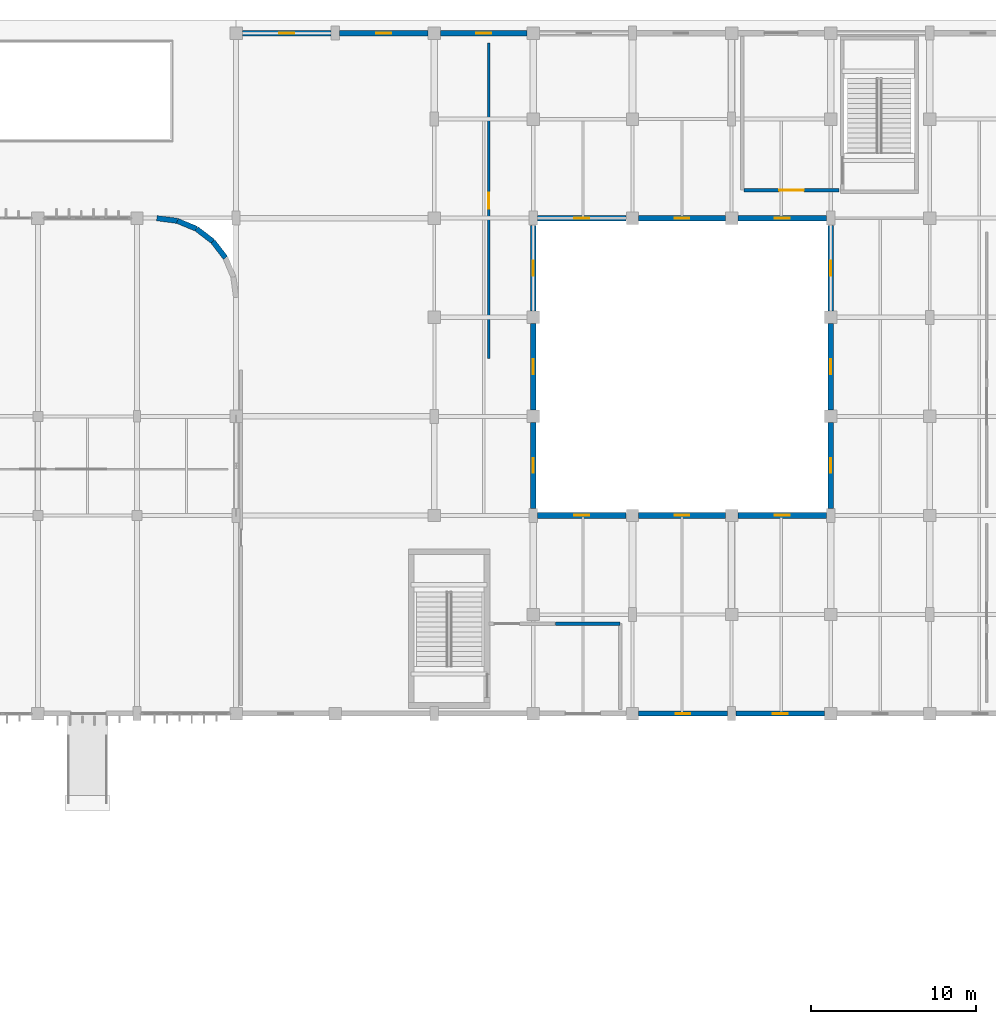
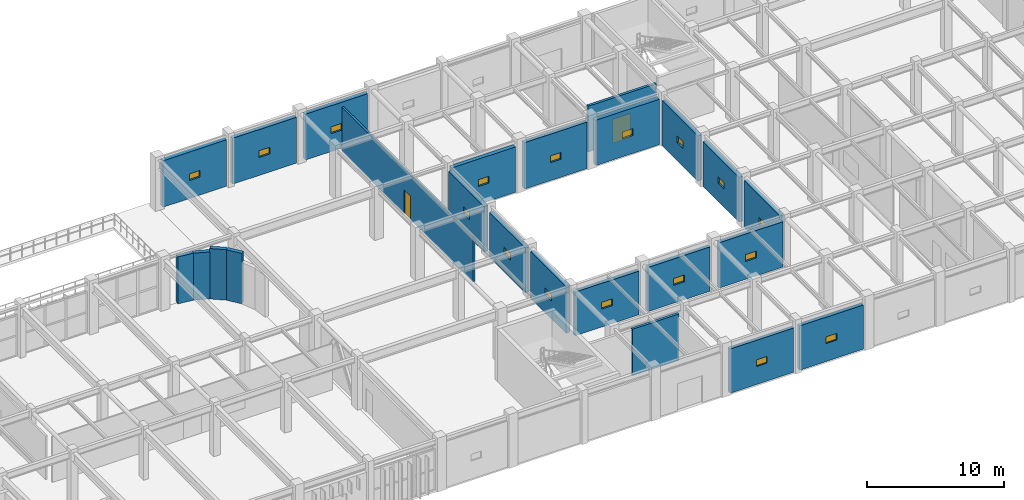
# One storey, part 48 of 76: 24 walls, 17 windows, 2 doors, 19 openings.
"""IFC4 building model written with IfcOpenShell, lengths in metres."""

from ifc_helpers import new_model, si_unit, direction, frame, frame_2d, origin, place, context, subcontext, project, spatial, rectangle, extrude, material, layer, layer_set, type_object, element, fill, save


model = new_model("IFC4")

# Units and contexts
model_context = context("Model", 3, precision=1e-05, world=origin(), true_north=direction((0.0, 1.0)))
body_context = subcontext(model_context, "Body", "Model", "MODEL_VIEW")
ifc_project = project(units=[si_unit("LENGTHUNIT", "METRE"), si_unit("AREAUNIT", "SQUARE_METRE"), si_unit("VOLUMEUNIT", "CUBIC_METRE"), si_unit("PLANEANGLEUNIT", "RADIAN"), si_unit("MASSUNIT", "GRAM", prefix="KILO")], contexts=[model_context])

# Site, building, storey
site_placement = place(None, origin())
site = spatial("IfcSite", under=ifc_project, at=site_placement, CompositionType="ELEMENT")
building_placement = place(site_placement, origin())
building = spatial("IfcBuilding", under=site, at=building_placement, Name="Varnakota Square Police Headquarters", CompositionType="ELEMENT")
storey_placement = place(building_placement, origin())
storey = spatial("IfcBuildingStorey", under=building, at=storey_placement, Name="L00", CompositionType="ELEMENT", Elevation=0.0)

# Wall, opening, window
ifc_material_1 = material(Name="Precast concrete M40", Category="concrete")
ifc_layer_1 = layer(ifc_material_1, 0.300048828125, Name="Precast concrete M40")
ifc_layer_set_1 = layer_set([ifc_layer_1], Name="Precast concrete M40")
wall_type_1 = type_object("IfcWallType", Name="WL-EXT-300", PredefinedType="SOLIDWALL", material=ifc_layer_set_1)
wall_1_placement = place(storey_placement, frame((120.37890625, 69.0, 0.0), z_axis=(0.0, 0.0, 1.0), x_axis=(1.0, 0.0, 0.0)))
wall_1 = element("IfcWall", 1, at=wall_1_placement, inside=storey, type_object=wall_type_1, Name="Exterior wall EW-L00-0664", PredefinedType="SOLIDWALL", context=body_context, shape_type="SweptSolid", body=[
    extrude(rectangle(XDim=5.3671875, YDim=0.300048828125, at=frame_2d((2.68359375, 0.0))), origin(), (0.0, 0.0, 1.0), 3.93994140625),
])
opening_1_placement = place(wall_1_placement, frame((2.2333984375, 0.0, 1.60009765625)))
opening_1 = element("IfcOpeningElement", 2, at=opening_1_placement, cuts=wall_1, Name="Opening W13", PredefinedType="OPENING", context=body_context, shape_type="SweptSolid", body=[
    extrude(rectangle(XDim=0.89990234375, YDim=0.60009765625, at=frame_2d((0.449951171875, 0.300048828125))), frame((0.0, 0.159912109375, 0.0), z_axis=(0.0, -1.0, 0.0), x_axis=(1.0, 0.0, 0.0)), (0.0, 0.0, 1.0), 0.320068359375),
])
ifc_material_2 = material(Name="Thermally Broken Aluminium Double-Glazed Window", Category="aluminium")
window_type = type_object("IfcWindowType", Name="WIN-13", PartitioningType="SINGLE_PANEL", PredefinedType="WINDOW", material=ifc_material_2)
window_1_placement = place(opening_1_placement, origin())
window_1 = element("IfcWindow", 3, at=window_1_placement, inside=storey, type_object=window_type, Name="Window WN-L00-0170", OverallHeight=0.60009765625, OverallWidth=0.89990234375, PartitioningType="SINGLE_PANEL", PredefinedType="WINDOW", context=body_context, shape_type="SweptSolid", body=[
    extrude(rectangle(XDim=0.89990234375, YDim=0.60009765625, at=frame_2d((0.449951171875, 0.300048828125))), frame((0.0, 0.030029296875, 0.0), z_axis=(0.0, -1.0, 0.0), x_axis=(1.0, 0.0, 0.0)), (0.0, 0.0, 1.0), 0.06005859375),
])
fill(opening_1, window_1)

wall_2_placement = place(storey_placement, frame((126.25390625, 69.0, 0.0), z_axis=(0.0, 0.0, 1.0), x_axis=(1.0, 0.0, 0.0)))
wall_2 = element("IfcWall", 4, at=wall_2_placement, inside=storey, type_object=wall_type_1, Name="Exterior wall EW-L00-0665", PredefinedType="SOLIDWALL", context=body_context, shape_type="SweptSolid", body=[
    extrude(rectangle(XDim=5.3671875, YDim=0.300048828125, at=frame_2d((2.68359375, 0.0))), origin(), (0.0, 0.0, 1.0), 3.93994140625),
])
opening_2_placement = place(wall_2_placement, frame((2.2333984375, 0.0, 1.60009765625)))
opening_2 = element("IfcOpeningElement", 5, at=opening_2_placement, cuts=wall_2, Name="Opening W13", PredefinedType="OPENING", context=body_context, shape_type="SweptSolid", body=[
    extrude(rectangle(XDim=0.89990234375, YDim=0.60009765625, at=frame_2d((0.449951171875, 0.300048828125))), frame((0.0, 0.159912109375, 0.0), z_axis=(0.0, -1.0, 0.0), x_axis=(1.0, 0.0, 0.0)), (0.0, 0.0, 1.0), 0.320068359375),
])
window_2_placement = place(opening_2_placement, origin())
window_2 = element("IfcWindow", 6, at=window_2_placement, inside=storey, type_object=window_type, Name="Window WN-L00-0171", OverallHeight=0.60009765625, OverallWidth=0.89990234375, PartitioningType="SINGLE_PANEL", PredefinedType="WINDOW", context=body_context, shape_type="SweptSolid", body=[
    extrude(rectangle(XDim=0.89990234375, YDim=0.60009765625, at=frame_2d((0.449951171875, 0.300048828125))), frame((0.0, 0.030029296875, 0.0), z_axis=(0.0, -1.0, 0.0), x_axis=(1.0, 0.0, 0.0)), (0.0, 0.0, 1.0), 0.06005859375),
])
fill(opening_2, window_2)

# Walls
ifc_layer_2 = layer(ifc_material_1, 0.320068359375, Name="Precast concrete M40")
ifc_layer_set_2 = layer_set([ifc_layer_2], Name="Precast concrete M40")
wall_type_2 = type_object("IfcWallType", Name="WL-EXT-320", PredefinedType="SOLIDWALL", material=ifc_layer_set_2)
for number, where, z_axis, x_axis, name in (
    (7, (95.35693359375, 96.60009765625, 0.0), (0.0, 0.0, 1.0), (-0.60891003886, 0.793239285824, 0.0), "Exterior wall EW-L00-0484"),
    (8, (94.593994140625, 97.593994140625, 0.0), (0.0, 0.0, 1.0), (-0.793239285824, 0.60891003886, 0.0), "Exterior wall EW-L00-0485"),
):
    element("IfcWall", number, at=place(storey_placement, frame(where, z_axis=z_axis, x_axis=x_axis)), inside=storey, type_object=wall_type_2, Name=name, PredefinedType="SOLIDWALL", context=body_context, shape_type="SweptSolid", body=[
        extrude(rectangle(XDim=1.2529296875, YDim=0.320068359375, at=frame_2d((0.62646484375, 0.0))), origin(), (0.0, 0.0, 1.0), 4.4951171875),
    ])
for number, where, z_axis, x_axis, name in (
    (9, (93.60009765625, 98.35693359375, 0.0), (0.0, 0.0, 1.0), (-0.92389335771, 0.382650053678, 0.0), "Exterior wall EW-L00-0486"),
    (10, (92.4423828125, 98.83642578125, 0.0), (0.0, 0.0, 1.0), (-0.991444346045, 0.130530106475, 0.0), "Exterior wall EW-L00-0487"),
):
    element("IfcWall", number, at=place(storey_placement, frame(where, z_axis=z_axis, x_axis=x_axis)), inside=storey, type_object=wall_type_2, Name=name, PredefinedType="SOLIDWALL", context=body_context, shape_type="SweptSolid", body=[
        extrude(rectangle(XDim=1.253173828125, YDim=0.320068359375, at=frame_2d((0.62646484375, 0.0))), origin(), (0.0, 0.0, 1.0), 4.18994140625),
    ])

# Wall, opening, window
ifc_material_3 = material(Name="Concrete M40", Category="concrete")
ifc_layer_3 = layer(ifc_material_3, 0.340087890625, Name="Concrete M40")
ifc_layer_set_3 = layer_set([ifc_layer_3], Name="Concrete M40")
wall_type_3 = type_object("IfcWallType", Name="WL-EXT-340", PredefinedType="SOLIDWALL", material=ifc_layer_set_3)
wall_3_placement = place(storey_placement, frame((96.37890625, 110.199951171875, 0.0), z_axis=(0.0, 0.0, 1.0), x_axis=(1.0, 0.0, 0.0)))
wall_3 = element("IfcWall", 11, at=wall_3_placement, inside=storey, type_object=wall_type_3, Name="Exterior wall EW-L00-0651", PredefinedType="SOLIDWALL", context=body_context, shape_type="SweptSolid", body=[
    extrude(rectangle(XDim=5.3671875, YDim=0.340087890625, at=frame_2d((2.68359375, 0.0))), origin(), (0.0, 0.0, 1.0), 4.139892578125),
])
opening_3_placement = place(wall_3_placement, frame((2.2333984375, 0.0, 1.60009765625)))
opening_3 = element("IfcOpeningElement", 12, at=opening_3_placement, cuts=wall_3, Name="Opening W13", PredefinedType="OPENING", context=body_context, shape_type="SweptSolid", body=[
    extrude(rectangle(XDim=0.89990234375, YDim=0.60009765625, at=frame_2d((0.449951171875, 0.300048828125))), frame((0.0, 0.179931640625, 0.0), z_axis=(0.0, -1.0, 0.0), x_axis=(1.0, 0.0, 0.0)), (0.0, 0.0, 1.0), 0.360107421875),
])
window_3_placement = place(opening_3_placement, origin())
window_3 = element("IfcWindow", 13, at=window_3_placement, inside=storey, type_object=window_type, Name="Window WN-L00-0162", OverallHeight=0.60009765625, OverallWidth=0.89990234375, PartitioningType="SINGLE_PANEL", PredefinedType="WINDOW", context=body_context, shape_type="SweptSolid", body=[
    extrude(rectangle(XDim=0.89990234375, YDim=0.60009765625, at=frame_2d((0.449951171875, 0.300048828125))), frame((0.0, 0.030029296875, 0.0), z_axis=(0.0, -1.0, 0.0), x_axis=(1.0, 0.0, 0.0)), (0.0, 0.0, 1.0), 0.06005859375),
])
fill(opening_3, window_3)

wall_4_placement = place(storey_placement, frame((102.25390625, 110.199951171875, 0.0), z_axis=(0.0, 0.0, 1.0), x_axis=(1.0, 0.0, 0.0)))
wall_4 = element("IfcWall", 14, at=wall_4_placement, inside=storey, type_object=wall_type_3, Name="Exterior wall EW-L00-0652", PredefinedType="SOLIDWALL", context=body_context, shape_type="SweptSolid", body=[
    extrude(rectangle(XDim=5.3671875, YDim=0.340087890625, at=frame_2d((2.68359375, 0.0))), origin(), (0.0, 0.0, 1.0), 4.08349609375),
])
opening_4_placement = place(wall_4_placement, frame((2.2333984375, 0.0, 1.60009765625)))
opening_4 = element("IfcOpeningElement", 15, at=opening_4_placement, cuts=wall_4, Name="Opening W13", PredefinedType="OPENING", context=body_context, shape_type="SweptSolid", body=[
    extrude(rectangle(XDim=0.89990234375, YDim=0.60009765625, at=frame_2d((0.449951171875, 0.300048828125))), frame((0.0, 0.179931640625, 0.0), z_axis=(0.0, -1.0, 0.0), x_axis=(1.0, 0.0, 0.0)), (0.0, 0.0, 1.0), 0.360107421875),
])
window_4_placement = place(opening_4_placement, origin())
window_4 = element("IfcWindow", 16, at=window_4_placement, inside=storey, type_object=window_type, Name="Window WN-L00-0163", OverallHeight=0.60009765625, OverallWidth=0.89990234375, PartitioningType="SINGLE_PANEL", PredefinedType="WINDOW", context=body_context, shape_type="SweptSolid", body=[
    extrude(rectangle(XDim=0.89990234375, YDim=0.60009765625, at=frame_2d((0.449951171875, 0.300048828125))), frame((0.0, 0.030029296875, 0.0), z_axis=(0.0, -1.0, 0.0), x_axis=(1.0, 0.0, 0.0)), (0.0, 0.0, 1.0), 0.06005859375),
])
fill(opening_4, window_4)

wall_5_placement = place(storey_placement, frame((108.37890625, 110.199951171875, 0.0), z_axis=(0.0, 0.0, 1.0), x_axis=(1.0, 0.0, 0.0)))
wall_5 = element("IfcWall", 17, at=wall_5_placement, inside=storey, type_object=wall_type_3, Name="Exterior wall EW-L00-0653", PredefinedType="SOLIDWALL", context=body_context, shape_type="SweptSolid", body=[
    extrude(rectangle(XDim=5.2421875, YDim=0.340087890625, at=frame_2d((2.62109375, 0.0))), origin(), (0.0, 0.0, 1.0), 4.08349609375),
])
opening_5_placement = place(wall_5_placement, frame((2.1708984375, 0.0, 1.60009765625)))
opening_5 = element("IfcOpeningElement", 18, at=opening_5_placement, cuts=wall_5, Name="Opening W13", PredefinedType="OPENING", context=body_context, shape_type="SweptSolid", body=[
    extrude(rectangle(XDim=0.89990234375, YDim=0.60009765625, at=frame_2d((0.449951171875, 0.300048828125))), frame((0.0, 0.179931640625, 0.0), z_axis=(0.0, -1.0, 0.0), x_axis=(1.0, 0.0, 0.0)), (0.0, 0.0, 1.0), 0.360107421875),
])
window_5_placement = place(opening_5_placement, origin())
window_5 = element("IfcWindow", 19, at=window_5_placement, inside=storey, type_object=window_type, Name="Window WN-L00-0164", OverallHeight=0.60009765625, OverallWidth=0.89990234375, PartitioningType="SINGLE_PANEL", PredefinedType="WINDOW", context=body_context, shape_type="SweptSolid", body=[
    extrude(rectangle(XDim=0.89990234375, YDim=0.60009765625, at=frame_2d((0.449951171875, 0.300048828125))), frame((0.0, 0.030029296875, 0.0), z_axis=(0.0, -1.0, 0.0), x_axis=(1.0, 0.0, 0.0)), (0.0, 0.0, 1.0), 0.06005859375),
])
fill(opening_5, window_5)

wall_6_placement = place(storey_placement, frame((114.25390625, 81.0, 0.0), z_axis=(0.0, 0.0, 1.0), x_axis=(1.0, 0.0, 0.0)))
wall_6 = element("IfcWall", 20, at=wall_6_placement, inside=storey, type_object=wall_type_3, Name="Exterior wall EW-L00-0678", PredefinedType="SOLIDWALL", context=body_context, shape_type="SweptSolid", body=[
    extrude(rectangle(XDim=5.3671875, YDim=0.340087890625, at=frame_2d((2.68359375, 0.0))), origin(), (0.0, 0.0, 1.0), 3.889892578125),
])
opening_6_placement = place(wall_6_placement, frame((2.2333984375, 0.0, 1.60009765625)))
opening_6 = element("IfcOpeningElement", 21, at=opening_6_placement, cuts=wall_6, Name="Opening W13", PredefinedType="OPENING", context=body_context, shape_type="SweptSolid", body=[
    extrude(rectangle(XDim=0.89990234375, YDim=0.60009765625, at=frame_2d((0.449951171875, 0.300048828125))), frame((0.0, 0.179931640625, 0.0), z_axis=(0.0, -1.0, 0.0), x_axis=(1.0, 0.0, 0.0)), (0.0, 0.0, 1.0), 0.360107421875),
])
window_6_placement = place(opening_6_placement, origin())
window_6 = element("IfcWindow", 22, at=window_6_placement, inside=storey, type_object=window_type, Name="Window WN-L00-0184", OverallHeight=0.60009765625, OverallWidth=0.89990234375, PartitioningType="SINGLE_PANEL", PredefinedType="WINDOW", context=body_context, shape_type="SweptSolid", body=[
    extrude(rectangle(XDim=0.89990234375, YDim=0.60009765625, at=frame_2d((0.449951171875, 0.300048828125))), frame((0.0, 0.030029296875, 0.0), z_axis=(0.0, -1.0, 0.0), x_axis=(1.0, 0.0, 0.0)), (0.0, 0.0, 1.0), 0.06005859375),
])
fill(opening_6, window_6)

wall_7_placement = place(storey_placement, frame((114.25390625, 99.0, 0.0), z_axis=(0.0, 0.0, 1.0), x_axis=(1.0, 0.0, 0.0)))
wall_7 = element("IfcWall", 23, at=wall_7_placement, inside=storey, type_object=wall_type_3, Name="Exterior wall EW-L00-0679", PredefinedType="SOLIDWALL", context=body_context, shape_type="SweptSolid", body=[
    extrude(rectangle(XDim=5.3671875, YDim=0.340087890625, at=frame_2d((2.68359375, 0.0))), origin(), (0.0, 0.0, 1.0), 4.0400390625),
])
opening_7_placement = place(wall_7_placement, frame((2.2333984375, 0.0, 1.60009765625)))
opening_7 = element("IfcOpeningElement", 24, at=opening_7_placement, cuts=wall_7, Name="Opening W13", PredefinedType="OPENING", context=body_context, shape_type="SweptSolid", body=[
    extrude(rectangle(XDim=0.89990234375, YDim=0.60009765625, at=frame_2d((0.449951171875, 0.300048828125))), frame((0.0, 0.179931640625, 0.0), z_axis=(0.0, -1.0, 0.0), x_axis=(1.0, 0.0, 0.0)), (0.0, 0.0, 1.0), 0.360107421875),
])
window_7_placement = place(opening_7_placement, origin())
window_7 = element("IfcWindow", 25, at=window_7_placement, inside=storey, type_object=window_type, Name="Window WN-L00-0185", OverallHeight=0.60009765625, OverallWidth=0.89990234375, PartitioningType="SINGLE_PANEL", PredefinedType="WINDOW", context=body_context, shape_type="SweptSolid", body=[
    extrude(rectangle(XDim=0.89990234375, YDim=0.60009765625, at=frame_2d((0.449951171875, 0.300048828125))), frame((0.0, 0.030029296875, 0.0), z_axis=(0.0, -1.0, 0.0), x_axis=(1.0, 0.0, 0.0)), (0.0, 0.0, 1.0), 0.06005859375),
])
fill(opening_7, window_7)

wall_8_placement = place(storey_placement, frame((120.37890625, 81.0, 0.0), z_axis=(0.0, 0.0, 1.0), x_axis=(1.0, 0.0, 0.0)))
wall_8 = element("IfcWall", 26, at=wall_8_placement, inside=storey, type_object=wall_type_3, Name="Exterior wall EW-L00-0680", PredefinedType="SOLIDWALL", context=body_context, shape_type="SweptSolid", body=[
    extrude(rectangle(XDim=5.2421875, YDim=0.340087890625, at=frame_2d((2.62109375, 0.0))), origin(), (0.0, 0.0, 1.0), 3.93994140625),
])
opening_8_placement = place(wall_8_placement, frame((2.1708984375, 0.0, 1.60009765625)))
opening_8 = element("IfcOpeningElement", 27, at=opening_8_placement, cuts=wall_8, Name="Opening W13", PredefinedType="OPENING", context=body_context, shape_type="SweptSolid", body=[
    extrude(rectangle(XDim=0.89990234375, YDim=0.60009765625, at=frame_2d((0.449951171875, 0.300048828125))), frame((0.0, 0.179931640625, 0.0), z_axis=(0.0, -1.0, 0.0), x_axis=(1.0, 0.0, 0.0)), (0.0, 0.0, 1.0), 0.360107421875),
])
window_8_placement = place(opening_8_placement, origin())
window_8 = element("IfcWindow", 28, at=window_8_placement, inside=storey, type_object=window_type, Name="Window WN-L00-0186", OverallHeight=0.60009765625, OverallWidth=0.89990234375, PartitioningType="SINGLE_PANEL", PredefinedType="WINDOW", context=body_context, shape_type="SweptSolid", body=[
    extrude(rectangle(XDim=0.89990234375, YDim=0.60009765625, at=frame_2d((0.449951171875, 0.300048828125))), frame((0.0, 0.030029296875, 0.0), z_axis=(0.0, -1.0, 0.0), x_axis=(1.0, 0.0, 0.0)), (0.0, 0.0, 1.0), 0.06005859375),
])
fill(opening_8, window_8)

wall_9_placement = place(storey_placement, frame((120.37890625, 99.0, 0.0), z_axis=(0.0, 0.0, 1.0), x_axis=(1.0, 0.0, 0.0)))
wall_9 = element("IfcWall", 29, at=wall_9_placement, inside=storey, type_object=wall_type_3, Name="Exterior wall EW-L00-0681", PredefinedType="SOLIDWALL", context=body_context, shape_type="SweptSolid", body=[
    extrude(rectangle(XDim=5.2421875, YDim=0.340087890625, at=frame_2d((2.62109375, 0.0))), origin(), (0.0, 0.0, 1.0), 4.139892578125),
])
opening_9_placement = place(wall_9_placement, frame((2.1708984375, 0.0, 1.60009765625)))
opening_9 = element("IfcOpeningElement", 30, at=opening_9_placement, cuts=wall_9, Name="Opening W13", PredefinedType="OPENING", context=body_context, shape_type="SweptSolid", body=[
    extrude(rectangle(XDim=0.89990234375, YDim=0.60009765625, at=frame_2d((0.449951171875, 0.300048828125))), frame((0.0, 0.179931640625, 0.0), z_axis=(0.0, -1.0, 0.0), x_axis=(1.0, 0.0, 0.0)), (0.0, 0.0, 1.0), 0.360107421875),
])
window_9_placement = place(opening_9_placement, origin())
window_9 = element("IfcWindow", 31, at=window_9_placement, inside=storey, type_object=window_type, Name="Window WN-L00-0187", OverallHeight=0.60009765625, OverallWidth=0.89990234375, PartitioningType="SINGLE_PANEL", PredefinedType="WINDOW", context=body_context, shape_type="SweptSolid", body=[
    extrude(rectangle(XDim=0.89990234375, YDim=0.60009765625, at=frame_2d((0.449951171875, 0.300048828125))), frame((0.0, 0.030029296875, 0.0), z_axis=(0.0, -1.0, 0.0), x_axis=(1.0, 0.0, 0.0)), (0.0, 0.0, 1.0), 0.06005859375),
])
fill(opening_9, window_9)

wall_10_placement = place(storey_placement, frame((126.37890625, 81.0, 0.0), z_axis=(0.0, 0.0, 1.0), x_axis=(1.0, 0.0, 0.0)))
wall_10 = element("IfcWall", 32, at=wall_10_placement, inside=storey, type_object=wall_type_3, Name="Exterior wall EW-L00-0682", PredefinedType="SOLIDWALL", context=body_context, shape_type="SweptSolid", body=[
    extrude(rectangle(XDim=5.3671875, YDim=0.340087890625, at=frame_2d((2.68359375, 0.0))), origin(), (0.0, 0.0, 1.0), 4.0400390625),
])
opening_10_placement = place(wall_10_placement, frame((2.2333984375, 0.0, 1.60009765625)))
opening_10 = element("IfcOpeningElement", 33, at=opening_10_placement, cuts=wall_10, Name="Opening W13", PredefinedType="OPENING", context=body_context, shape_type="SweptSolid", body=[
    extrude(rectangle(XDim=0.89990234375, YDim=0.60009765625, at=frame_2d((0.449951171875, 0.300048828125))), frame((0.0, 0.179931640625, 0.0), z_axis=(0.0, -1.0, 0.0), x_axis=(1.0, 0.0, 0.0)), (0.0, 0.0, 1.0), 0.360107421875),
])
window_10_placement = place(opening_10_placement, origin())
window_10 = element("IfcWindow", 34, at=window_10_placement, inside=storey, type_object=window_type, Name="Window WN-L00-0188", OverallHeight=0.60009765625, OverallWidth=0.89990234375, PartitioningType="SINGLE_PANEL", PredefinedType="WINDOW", context=body_context, shape_type="SweptSolid", body=[
    extrude(rectangle(XDim=0.89990234375, YDim=0.60009765625, at=frame_2d((0.449951171875, 0.300048828125))), frame((0.0, 0.030029296875, 0.0), z_axis=(0.0, -1.0, 0.0), x_axis=(1.0, 0.0, 0.0)), (0.0, 0.0, 1.0), 0.06005859375),
])
fill(opening_10, window_10)

wall_11_placement = place(storey_placement, frame((126.37890625, 99.0, 0.0), z_axis=(0.0, 0.0, 1.0), x_axis=(1.0, 0.0, 0.0)))
wall_11 = element("IfcWall", 35, at=wall_11_placement, inside=storey, type_object=wall_type_3, Name="Exterior wall EW-L00-0683", PredefinedType="SOLIDWALL", context=body_context, shape_type="SweptSolid", body=[
    extrude(rectangle(XDim=5.3671875, YDim=0.340087890625, at=frame_2d((2.68359375, 0.0))), origin(), (0.0, 0.0, 1.0), 4.0400390625),
])
opening_11_placement = place(wall_11_placement, frame((2.2333984375, 0.0, 1.60009765625)))
opening_11 = element("IfcOpeningElement", 36, at=opening_11_placement, cuts=wall_11, Name="Opening W13", PredefinedType="OPENING", context=body_context, shape_type="SweptSolid", body=[
    extrude(rectangle(XDim=0.89990234375, YDim=0.60009765625, at=frame_2d((0.449951171875, 0.300048828125))), frame((0.0, 0.179931640625, 0.0), z_axis=(0.0, -1.0, 0.0), x_axis=(1.0, 0.0, 0.0)), (0.0, 0.0, 1.0), 0.360107421875),
])
window_11_placement = place(opening_11_placement, origin())
window_11 = element("IfcWindow", 37, at=window_11_placement, inside=storey, type_object=window_type, Name="Window WN-L00-0189", OverallHeight=0.60009765625, OverallWidth=0.89990234375, PartitioningType="SINGLE_PANEL", PredefinedType="WINDOW", context=body_context, shape_type="SweptSolid", body=[
    extrude(rectangle(XDim=0.89990234375, YDim=0.60009765625, at=frame_2d((0.449951171875, 0.300048828125))), frame((0.0, 0.030029296875, 0.0), z_axis=(0.0, -1.0, 0.0), x_axis=(1.0, 0.0, 0.0)), (0.0, 0.0, 1.0), 0.06005859375),
])
fill(opening_11, window_11)

wall_12_placement = place(storey_placement, frame((114.0, 81.428955078125, 0.0), z_axis=(0.0, 0.0, 1.0), x_axis=(0.0, 1.0, 0.0)))
wall_12 = element("IfcWall", 38, at=wall_12_placement, inside=storey, type_object=wall_type_3, Name="Exterior wall EW-L00-0684", PredefinedType="SOLIDWALL", context=body_context, shape_type="SweptSolid", body=[
    extrude(rectangle(XDim=5.192138671875, YDim=0.340087890625, at=frame_2d((2.59619140625, 0.0))), origin(), (0.0, 0.0, 1.0), 4.166015625),
])
opening_12_placement = place(wall_12_placement, frame((2.14599609375, 0.0, 1.60009765625)))
opening_12 = element("IfcOpeningElement", 39, at=opening_12_placement, cuts=wall_12, Name="Opening W13", PredefinedType="OPENING", context=body_context, shape_type="SweptSolid", body=[
    extrude(rectangle(XDim=0.89990234375, YDim=0.60009765625, at=frame_2d((0.449951171875, 0.300048828125))), frame((0.0, 0.179931640625, 0.0), z_axis=(0.0, -1.0, 0.0), x_axis=(1.0, 0.0, 0.0)), (0.0, 0.0, 1.0), 0.360107421875),
])
window_12_placement = place(opening_12_placement, origin())
window_12 = element("IfcWindow", 40, at=window_12_placement, inside=storey, type_object=window_type, Name="Window WN-L00-0190", OverallHeight=0.60009765625, OverallWidth=0.89990234375, PartitioningType="SINGLE_PANEL", PredefinedType="WINDOW", context=body_context, shape_type="SweptSolid", body=[
    extrude(rectangle(XDim=0.89990234375, YDim=0.60009765625, at=frame_2d((0.449951171875, 0.300048828125))), frame((0.0, 0.030029296875, 0.0), z_axis=(0.0, -1.0, 0.0), x_axis=(1.0, 0.0, 0.0)), (0.0, 0.0, 1.0), 0.06005859375),
])
fill(opening_12, window_12)

wall_13_placement = place(storey_placement, frame((132.0, 81.428955078125, 0.0), z_axis=(0.0, 0.0, 1.0), x_axis=(0.0, 1.0, 0.0)))
wall_13 = element("IfcWall", 41, at=wall_13_placement, inside=storey, type_object=wall_type_3, Name="Exterior wall EW-L00-0685", PredefinedType="SOLIDWALL", context=body_context, shape_type="SweptSolid", body=[
    extrude(rectangle(XDim=5.192138671875, YDim=0.340087890625, at=frame_2d((2.59619140625, 0.0))), origin(), (0.0, 0.0, 1.0), 4.166015625),
])
opening_13_placement = place(wall_13_placement, frame((2.14599609375, 0.0, 1.60009765625)))
opening_13 = element("IfcOpeningElement", 42, at=opening_13_placement, cuts=wall_13, Name="Opening W13", PredefinedType="OPENING", context=body_context, shape_type="SweptSolid", body=[
    extrude(rectangle(XDim=0.89990234375, YDim=0.60009765625, at=frame_2d((0.449951171875, 0.300048828125))), frame((0.0, 0.179931640625, 0.0), z_axis=(0.0, -1.0, 0.0), x_axis=(1.0, 0.0, 0.0)), (0.0, 0.0, 1.0), 0.360107421875),
])
window_13_placement = place(opening_13_placement, origin())
window_13 = element("IfcWindow", 43, at=window_13_placement, inside=storey, type_object=window_type, Name="Window WN-L00-0191", OverallHeight=0.60009765625, OverallWidth=0.89990234375, PartitioningType="SINGLE_PANEL", PredefinedType="WINDOW", context=body_context, shape_type="SweptSolid", body=[
    extrude(rectangle(XDim=0.89990234375, YDim=0.60009765625, at=frame_2d((0.449951171875, 0.300048828125))), frame((0.0, 0.030029296875, 0.0), z_axis=(0.0, -1.0, 0.0), x_axis=(1.0, 0.0, 0.0)), (0.0, 0.0, 1.0), 0.06005859375),
])
fill(opening_13, window_13)

wall_14_placement = place(storey_placement, frame((114.0, 87.37890625, 0.0), z_axis=(0.0, 0.0, 1.0), x_axis=(0.0, 1.0, 0.0)))
wall_14 = element("IfcWall", 44, at=wall_14_placement, inside=storey, type_object=wall_type_3, Name="Exterior wall EW-L00-0686", PredefinedType="SOLIDWALL", context=body_context, shape_type="SweptSolid", body=[
    extrude(rectangle(XDim=5.2421875, YDim=0.340087890625, at=frame_2d((2.62109375, 0.0))), origin(), (0.0, 0.0, 1.0), 3.989990234375),
])
opening_14_placement = place(wall_14_placement, frame((2.1708984375, 0.0, 1.60009765625)))
opening_14 = element("IfcOpeningElement", 45, at=opening_14_placement, cuts=wall_14, Name="Opening W13", PredefinedType="OPENING", context=body_context, shape_type="SweptSolid", body=[
    extrude(rectangle(XDim=0.89990234375, YDim=0.60009765625, at=frame_2d((0.449951171875, 0.300048828125))), frame((0.0, 0.179931640625, 0.0), z_axis=(0.0, -1.0, 0.0), x_axis=(1.0, 0.0, 0.0)), (0.0, 0.0, 1.0), 0.360107421875),
])
window_14_placement = place(opening_14_placement, origin())
window_14 = element("IfcWindow", 46, at=window_14_placement, inside=storey, type_object=window_type, Name="Window WN-L00-0192", OverallHeight=0.60009765625, OverallWidth=0.89990234375, PartitioningType="SINGLE_PANEL", PredefinedType="WINDOW", context=body_context, shape_type="SweptSolid", body=[
    extrude(rectangle(XDim=0.89990234375, YDim=0.60009765625, at=frame_2d((0.449951171875, 0.300048828125))), frame((0.0, 0.030029296875, 0.0), z_axis=(0.0, -1.0, 0.0), x_axis=(1.0, 0.0, 0.0)), (0.0, 0.0, 1.0), 0.06005859375),
])
fill(opening_14, window_14)

wall_15_placement = place(storey_placement, frame((132.0, 87.37890625, 0.0), z_axis=(0.0, 0.0, 1.0), x_axis=(0.0, 1.0, 0.0)))
wall_15 = element("IfcWall", 47, at=wall_15_placement, inside=storey, type_object=wall_type_3, Name="Exterior wall EW-L00-0687", PredefinedType="SOLIDWALL", context=body_context, shape_type="SweptSolid", body=[
    extrude(rectangle(XDim=5.2421875, YDim=0.340087890625, at=frame_2d((2.62109375, 0.0))), origin(), (0.0, 0.0, 1.0), 3.989990234375),
])
opening_15_placement = place(wall_15_placement, frame((2.1708984375, 0.0, 1.60009765625)))
opening_15 = element("IfcOpeningElement", 48, at=opening_15_placement, cuts=wall_15, Name="Opening W13", PredefinedType="OPENING", context=body_context, shape_type="SweptSolid", body=[
    extrude(rectangle(XDim=0.89990234375, YDim=0.60009765625, at=frame_2d((0.449951171875, 0.300048828125))), frame((0.0, 0.179931640625, 0.0), z_axis=(0.0, -1.0, 0.0), x_axis=(1.0, 0.0, 0.0)), (0.0, 0.0, 1.0), 0.360107421875),
])
window_15_placement = place(opening_15_placement, origin())
window_15 = element("IfcWindow", 49, at=window_15_placement, inside=storey, type_object=window_type, Name="Window WN-L00-0193", OverallHeight=0.60009765625, OverallWidth=0.89990234375, PartitioningType="SINGLE_PANEL", PredefinedType="WINDOW", context=body_context, shape_type="SweptSolid", body=[
    extrude(rectangle(XDim=0.89990234375, YDim=0.60009765625, at=frame_2d((0.449951171875, 0.300048828125))), frame((0.0, 0.030029296875, 0.0), z_axis=(0.0, -1.0, 0.0), x_axis=(1.0, 0.0, 0.0)), (0.0, 0.0, 1.0), 0.06005859375),
])
fill(opening_15, window_15)

wall_16_placement = place(storey_placement, frame((114.0, 93.37890625, 0.0), z_axis=(0.0, 0.0, 1.0), x_axis=(0.0, 1.0, 0.0)))
wall_16 = element("IfcWall", 50, at=wall_16_placement, inside=storey, type_object=wall_type_3, Name="Exterior wall EW-L00-0688", PredefinedType="SOLIDWALL", context=body_context, shape_type="SweptSolid", body=[
    extrude(rectangle(XDim=5.192138671875, YDim=0.340087890625, at=frame_2d((2.59619140625, 0.0))), origin(), (0.0, 0.0, 1.0), 4.0400390625),
])
opening_16_placement = place(wall_16_placement, frame((2.14599609375, 0.0, 1.60009765625)))
opening_16 = element("IfcOpeningElement", 51, at=opening_16_placement, cuts=wall_16, Name="Opening W13", PredefinedType="OPENING", context=body_context, shape_type="SweptSolid", body=[
    extrude(rectangle(XDim=0.89990234375, YDim=0.60009765625, at=frame_2d((0.449951171875, 0.300048828125))), frame((0.0, 0.179931640625, 0.0), z_axis=(0.0, -1.0, 0.0), x_axis=(1.0, 0.0, 0.0)), (0.0, 0.0, 1.0), 0.360107421875),
])
window_16_placement = place(opening_16_placement, origin())
window_16 = element("IfcWindow", 52, at=window_16_placement, inside=storey, type_object=window_type, Name="Window WN-L00-0194", OverallHeight=0.60009765625, OverallWidth=0.89990234375, PartitioningType="SINGLE_PANEL", PredefinedType="WINDOW", context=body_context, shape_type="SweptSolid", body=[
    extrude(rectangle(XDim=0.89990234375, YDim=0.60009765625, at=frame_2d((0.449951171875, 0.300048828125))), frame((0.0, 0.030029296875, 0.0), z_axis=(0.0, -1.0, 0.0), x_axis=(1.0, 0.0, 0.0)), (0.0, 0.0, 1.0), 0.06005859375),
])
fill(opening_16, window_16)

wall_17_placement = place(storey_placement, frame((132.0, 93.37890625, 0.0), z_axis=(0.0, 0.0, 1.0), x_axis=(0.0, 1.0, 0.0)))
wall_17 = element("IfcWall", 53, at=wall_17_placement, inside=storey, type_object=wall_type_3, Name="Exterior wall EW-L00-0689", PredefinedType="SOLIDWALL", context=body_context, shape_type="SweptSolid", body=[
    extrude(rectangle(XDim=5.192138671875, YDim=0.340087890625, at=frame_2d((2.59619140625, 0.0))), origin(), (0.0, 0.0, 1.0), 4.0400390625),
])
opening_17_placement = place(wall_17_placement, frame((2.14599609375, 0.0, 1.60009765625)))
opening_17 = element("IfcOpeningElement", 54, at=opening_17_placement, cuts=wall_17, Name="Opening W13", PredefinedType="OPENING", context=body_context, shape_type="SweptSolid", body=[
    extrude(rectangle(XDim=0.89990234375, YDim=0.60009765625, at=frame_2d((0.449951171875, 0.300048828125))), frame((0.0, 0.179931640625, 0.0), z_axis=(0.0, -1.0, 0.0), x_axis=(1.0, 0.0, 0.0)), (0.0, 0.0, 1.0), 0.360107421875),
])
window_17_placement = place(opening_17_placement, origin())
window_17 = element("IfcWindow", 55, at=window_17_placement, inside=storey, type_object=window_type, Name="Window WN-L00-0195", OverallHeight=0.60009765625, OverallWidth=0.89990234375, PartitioningType="SINGLE_PANEL", PredefinedType="WINDOW", context=body_context, shape_type="SweptSolid", body=[
    extrude(rectangle(XDim=0.89990234375, YDim=0.60009765625, at=frame_2d((0.449951171875, 0.300048828125))), frame((0.0, 0.030029296875, 0.0), z_axis=(0.0, -1.0, 0.0), x_axis=(1.0, 0.0, 0.0)), (0.0, 0.0, 1.0), 0.06005859375),
])
fill(opening_17, window_17)

# Wall, opening, door
ifc_material_4 = material(Name="Fire-Rated Double Gypsum Stud Partition", Category="gypsum")
ifc_layer_4 = layer(ifc_material_4, 0.1650390625, Name="Fire-Rated Double Gypsum Stud Partition")
ifc_layer_set_4 = layer_set([ifc_layer_4], Name="Fire-Rated Double Gypsum Stud Partition")
wall_type_4 = type_object("IfcWallType", Name="WL-PRT-165F", PredefinedType="PARTITIONING", material=ifc_layer_set_4)
wall_18_placement = place(storey_placement, frame((111.300048828125, 109.60009765625, 0.0), z_axis=(0.0, 0.0, 1.0), x_axis=(0.0, -1.0, 0.0)))
wall_18 = element("IfcWall", 56, at=wall_18_placement, inside=storey, type_object=wall_type_4, Name="Interior partition PW-L00-0053 (Custody Holding Cell Block B)", PredefinedType="PARTITIONING", context=body_context, shape_type="SweptSolid", body=[
    extrude(rectangle(XDim=19.10009765625, YDim=0.1650390625, at=frame_2d((9.550048828125, 0.0))), origin(), (0.0, 0.0, 1.0), 3.989990234375),
])
opening_18_placement = place(wall_18_placement, frame((9.074951171875, 0.0, 0.0)))
opening_18 = element("IfcOpeningElement", 57, at=opening_18_placement, cuts=wall_18, Name="Opening D185", PredefinedType="OPENING", context=body_context, shape_type="SweptSolid", body=[
    extrude(rectangle(XDim=0.949951171875, YDim=2.10009765625, at=frame_2d((0.47509765625, 1.050048828125))), frame((0.0, 0.092529296875, 0.0), z_axis=(0.0, -1.0, 0.0), x_axis=(1.0, 0.0, 0.0)), (0.0, 0.0, 1.0), 0.18505859375),
])
ifc_material_5 = material(Name="Heavy-Gauge Powder-Coated Security Steel", Category="steel")
door_type_1 = type_object("IfcDoorType", Name="DR-CEL-095", OperationType="NOTDEFINED", PredefinedType="DOOR", material=ifc_material_5)
door_1_placement = place(opening_18_placement, origin())
door_1 = element("IfcDoor", 58, at=door_1_placement, inside=storey, type_object=door_type_1, Name="Room door D185 (Custody Holding Cell Block B)", OperationType="SINGLE_SWING_LEFT", OverallHeight=2.10009765625, OverallWidth=0.949951171875, PredefinedType="DOOR", context=body_context, shape_type="SweptSolid", body=[
    extrude(rectangle(XDim=0.949951171875, YDim=2.10009765625, at=frame_2d((0.47509765625, 1.050048828125))), frame((0.0, 0.02490234375, 0.0), z_axis=(0.0, -1.0, 0.0), x_axis=(1.0, 0.0, 0.0)), (0.0, 0.0, 1.0), 0.050048828125),
])
fill(opening_18, door_1)

ifc_layer_5 = layer(ifc_material_3, 0.215087890625, Name="Concrete M40")
ifc_layer_set_5 = layer_set([ifc_layer_5], Name="Concrete M40")
wall_type_5 = type_object("IfcWallType", Name="WL-PRT-215F", PredefinedType="PARTITIONING", material=ifc_layer_set_5)
wall_19_placement = place(storey_placement, frame((126.75, 100.699951171875, 0.0), z_axis=(0.0, 0.0, 1.0), x_axis=(1.0, 0.0, 0.0)))
wall_19 = element("IfcWall", 59, at=wall_19_placement, inside=storey, type_object=wall_type_5, Name="Core C8 lobby fire partition L00", PredefinedType="PARTITIONING", context=body_context, shape_type="SweptSolid", body=[
    extrude(rectangle(XDim=5.75, YDim=0.215087890625, at=frame_2d((2.875, 0.0))), origin(), (0.0, 0.0, 1.0), 4.090087890625),
])
opening_19_placement = place(wall_19_placement, frame((2.125, 0.0, 0.0)))
opening_19 = element("IfcOpeningElement", 60, at=opening_19_placement, cuts=wall_19, Name="Opening FD119", PredefinedType="OPENING", context=body_context, shape_type="SweptSolid", body=[
    extrude(rectangle(XDim=1.5, YDim=2.14990234375, at=frame_2d((0.75, 1.074951171875))), frame((0.0, 0.117431640625, 0.0), z_axis=(0.0, -1.0, 0.0), x_axis=(1.0, 0.0, 0.0)), (0.0, 0.0, 1.0), 0.235107421875),
])
ifc_material_6 = material(Name="Smoke-Sealed Galvanised Acoustic Steel", Category="steel")
door_type_2 = type_object("IfcDoorType", Name="DR-FFL-150", OperationType="NOTDEFINED", PredefinedType="DOOR", material=ifc_material_6)
door_2_placement = place(opening_19_placement, origin())
door_2 = element("IfcDoor", 61, at=door_2_placement, inside=storey, type_object=door_type_2, Name="Core lobby smoke door FD119", OperationType="DOUBLE_DOOR_SINGLE_SWING", OverallHeight=2.14990234375, OverallWidth=1.5, PredefinedType="DOOR", context=body_context, shape_type="SweptSolid", body=[
    extrude(rectangle(XDim=1.5, YDim=2.14990234375, at=frame_2d((0.75, 1.074951171875))), frame((0.0, 0.02490234375, 0.0), z_axis=(0.0, -1.0, 0.0), x_axis=(1.0, 0.0, 0.0)), (0.0, 0.0, 1.0), 0.050048828125),
])
fill(opening_19, door_2)

# Wall
wall_20_placement = place(storey_placement, frame((115.35009765625, 74.449951171875, 0.0), z_axis=(0.0, 0.0, 1.0), x_axis=(1.0, 0.0, 0.0)))
element("IfcWall", 62, at=wall_20_placement, inside=storey, type_object=wall_type_5, Name="Protected exit passageway fire wall EXW-C9-N2", PredefinedType="PARTITIONING", context=body_context, shape_type="SweptSolid", body=[
    extrude(rectangle(XDim=3.89990234375, YDim=0.215087890625, at=frame_2d((1.949951171875, 0.0))), origin(), (0.0, 0.0, 1.0), 4.139892578125),
])

save(model, "model.ifc")
